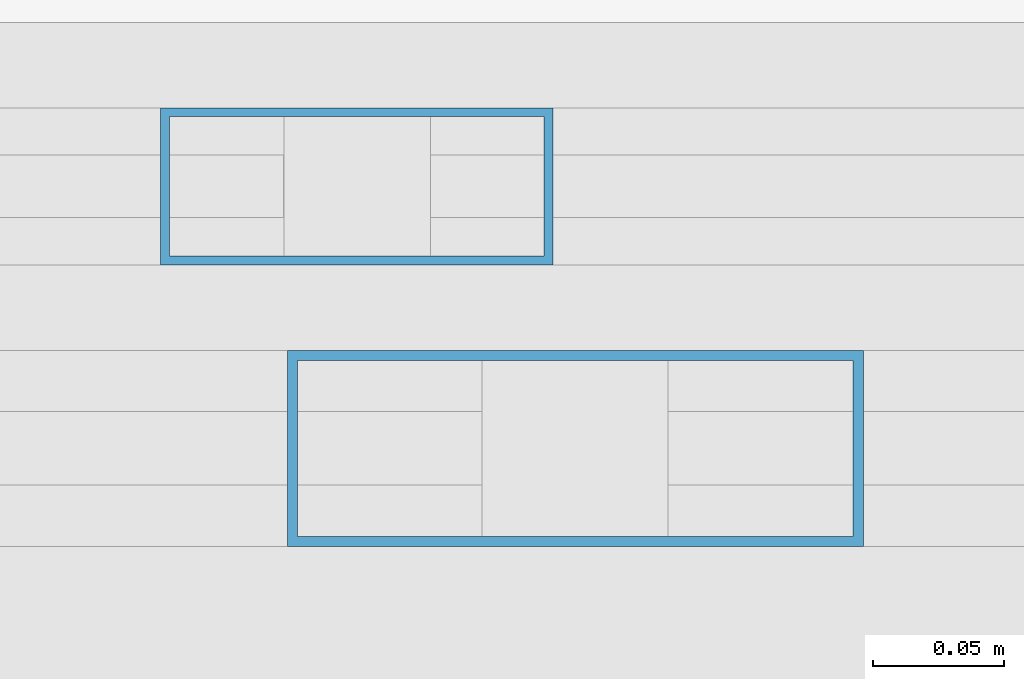
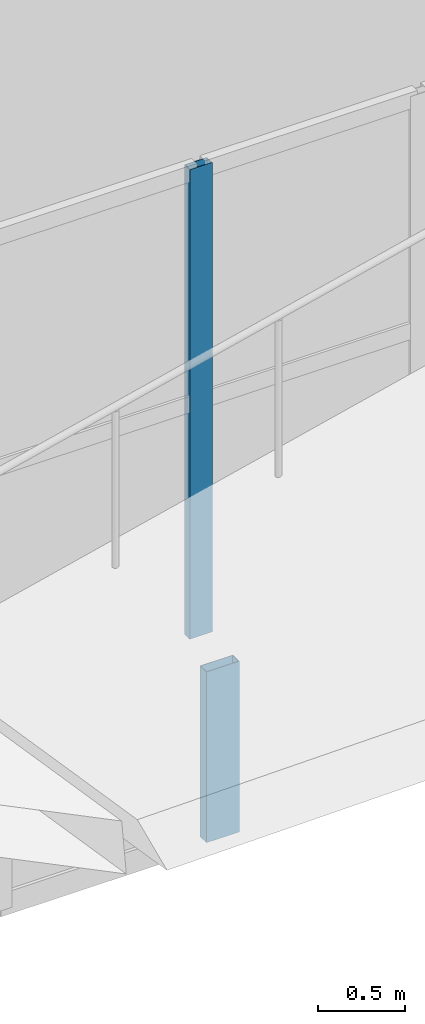
# One storey, part 27 of 120: 2 members, 2 elements without a shape of their own.
"""IFC4 building model written with IfcOpenShell, lengths in metres."""

from ifc_helpers import new_model, si_unit, direction, frame, origin, origin_2d, place, context, subcontext, project, spatial, hollow_rectangle, extrude, material, material_profile, profile_set, type_object, element, aggregate, save


model = new_model("IFC4")

# Units and contexts
model_context = context("Model", 3, precision=1e-05, world=origin(), true_north=direction((0.0, 1.0)))
body_context = subcontext(model_context, "Body", "Model", "MODEL_VIEW")
ifc_project = project(units=[si_unit("LENGTHUNIT", "METRE"), si_unit("AREAUNIT", "SQUARE_METRE"), si_unit("VOLUMEUNIT", "CUBIC_METRE"), si_unit("PLANEANGLEUNIT", "RADIAN"), si_unit("MASSUNIT", "GRAM", prefix="KILO")], contexts=[model_context])

# Site, building, storey
site_placement = place(None, origin())
site = spatial("IfcSite", under=ifc_project, at=site_placement, CompositionType="ELEMENT")
building_placement = place(site_placement, origin())
building = spatial("IfcBuilding", under=site, at=building_placement, Name="Caurita Quay Ferry Terminal", CompositionType="ELEMENT")
storey_placement = place(building_placement, frame((0.0, 0.0, 9.89990234375)))
storey = spatial("IfcBuildingStorey", under=building, at=storey_placement, Name="L02", CompositionType="ELEMENT", Elevation=9.89990234375)

# Curtain wall, member
ifc_material_1 = material(Name="Laminated solar-control insulated glass", Category="glass")
curtain_wall_type_1 = type_object("IfcCurtainWallType", Name="CW-SYS-13", PredefinedType="NOTDEFINED", material=ifc_material_1)
curtain_wall_1_placement = place(storey_placement, origin())
curtain_wall_1 = element("IfcCurtainWall", 1, at=curtain_wall_1_placement, inside=storey, type_object=curtain_wall_type_1, Name="Mezzanine Hall Overlook Glazing 097", PredefinedType="NOTDEFINED")
ifc_material_2 = material(Name="Anodized aluminium 6063-T6", Category="aluminium")
ifc_material_profile_1 = material_profile(ifc_material_2, hollow_rectangle(XDim=0.06005859375, YDim=0.14990234375, WallThickness=0.00341796875, at=origin_2d()), Name="ALU-MUL-60X150")
ifc_profile_set_1 = profile_set([ifc_material_profile_1], Name="Anodized aluminium 6063-T6")
member_type_1 = type_object("IfcMemberType", Name="CW-MUL-150", PredefinedType="MULLION", material=ifc_profile_set_1)
member_1_placement = place(storey_placement, frame((46.0166015625, 62.800048828125, 0.0), z_axis=(0.0, 0.0, 1.0), x_axis=(0.0, 1.0, 0.0)))
member_1 = element("IfcMember", 2, at=member_1_placement, type_object=member_type_1, Name="CW-MZL-097 Mullion 2", PredefinedType="MULLION", context=body_context, shape_type="SweptSolid", body=[
    extrude(hollow_rectangle(XDim=0.06005859375, YDim=0.14990234375, WallThickness=0.00341796875, at=origin_2d()), origin(), (0.0, 0.0, 1.0), 3.300048828125),
])
aggregate(curtain_wall_1, [member_1])

curtain_wall_type_2 = type_object("IfcCurtainWallType", Name="CW-SYS-05", PredefinedType="NOTDEFINED", material=ifc_material_1)
curtain_wall_2_placement = place(storey_placement, origin())
curtain_wall_2 = element("IfcCurtainWall", 3, at=curtain_wall_2_placement, inside=storey, type_object=curtain_wall_type_2, Name="Folded Roof Clerestory FB-03-N1", PredefinedType="NOTDEFINED")
ifc_material_profile_2 = material_profile(ifc_material_2, hollow_rectangle(XDim=0.074951171875, YDim=0.219970703125, WallThickness=0.00390625, at=origin_2d()), Name="ALU-MUL-75X220")
ifc_profile_set_2 = profile_set([ifc_material_profile_2], Name="Anodized aluminium 6063-T6")
member_type_2 = type_object("IfcMemberType", Name="CW-MUL-220", PredefinedType="MULLION", material=ifc_profile_set_2)
member_2_placement = place(storey_placement, frame((46.10009765625, 62.699951171875, -1.3828125), z_axis=(0.0, 0.0, 1.0), x_axis=(0.0, 1.0, 0.0)))
member_2 = element("IfcMember", 4, at=member_2_placement, type_object=member_type_2, Name="CW-CLR-021 Mullion 2", PredefinedType="MULLION", context=body_context, shape_type="SweptSolid", body=[
    extrude(hollow_rectangle(XDim=0.074951171875, YDim=0.219970703125, WallThickness=0.00390625, at=origin_2d()), origin(), (0.0, 0.0, 1.0), 1.199951171875),
])
aggregate(curtain_wall_2, [member_2])

save(model, "model.ifc")
